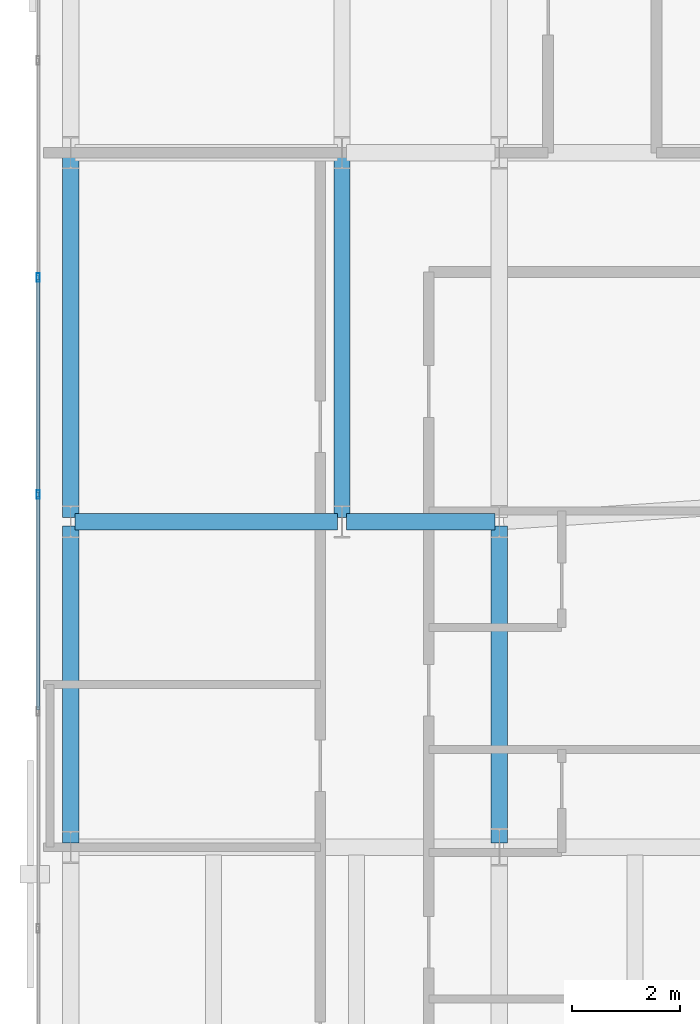
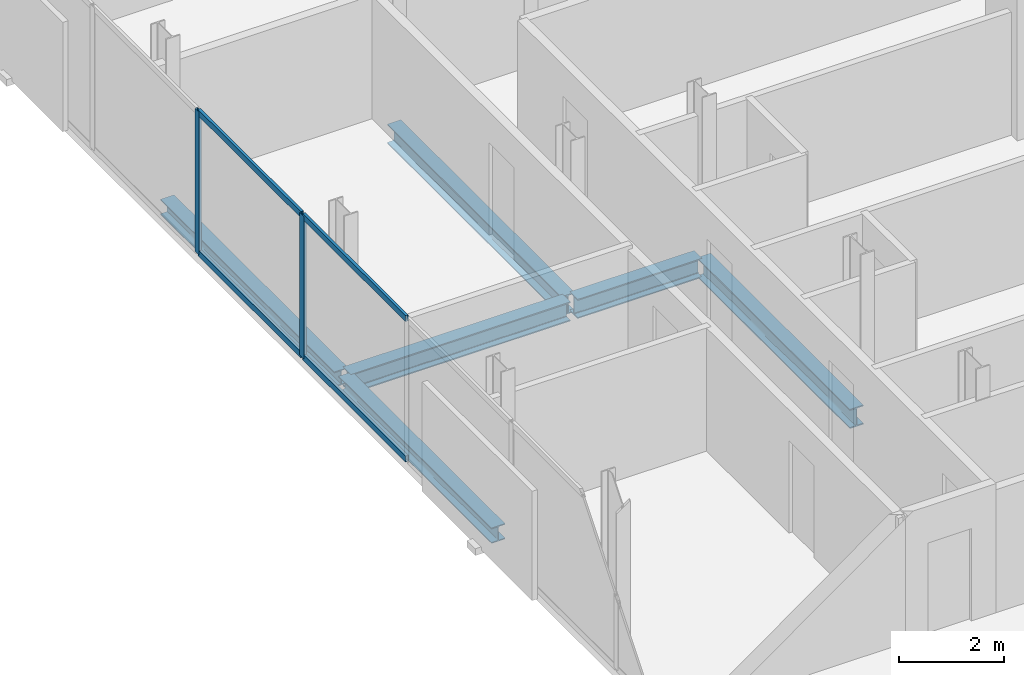
# One storey, part 9 of 32: 6 beams, 6 members, 1 element without a shape of its own.
"""IFC4 building model written with IfcOpenShell, lengths in metres."""

from ifc_helpers import new_model, si_unit, direction, frame, origin, origin_2d, place, context, subcontext, project, spatial, hollow_rectangle, i_section, extrude, material, layer, layer_set, material_profile, profile_set, type_object, element, aggregate, save


model = new_model("IFC4")

# Units and contexts
model_context = context("Model", 3, precision=1e-05, world=origin(), true_north=direction((0.0, 1.0)))
body_context = subcontext(model_context, "Body", "Model", "MODEL_VIEW")
ifc_project = project(units=[si_unit("LENGTHUNIT", "METRE"), si_unit("AREAUNIT", "SQUARE_METRE"), si_unit("VOLUMEUNIT", "CUBIC_METRE"), si_unit("PLANEANGLEUNIT", "RADIAN"), si_unit("MASSUNIT", "GRAM", prefix="KILO")], contexts=[model_context])

# Site, building, storey
site_placement = place(None, origin())
site = spatial("IfcSite", under=ifc_project, at=site_placement, CompositionType="ELEMENT")
building_placement = place(site_placement, origin())
building = spatial("IfcBuilding", under=site, at=building_placement, Name="Catumbela Crestline Tower", CompositionType="ELEMENT")
storey_placement = place(building_placement, frame((0.0, 0.0, 122.4)))
storey = spatial("IfcBuildingStorey", under=building, at=storey_placement, Name="L31", CompositionType="ELEMENT", Elevation=122.4)

# Beams
ifc_material_1 = material(Name="Structural steel S355J2", Category="steel")
ifc_material_profile_1 = material_profile(ifc_material_1, i_section(OverallWidth=0.3, OverallDepth=0.45, WebThickness=0.014, FlangeThickness=0.026, FilletRadius=0.027, at=origin_2d()), Name="HEB 450")
ifc_profile_set_1 = profile_set([ifc_material_profile_1], Name="Structural steel S355J2")
beam_type_1 = type_object("IfcBeamType", Name="BG-HEB450", PredefinedType="BEAM", material=ifc_profile_set_1)
beam_1_placement = place(storey_placement, frame((0.68, 24.0, -0.485), z_axis=(1.0, 0.0, 0.0), x_axis=(0.0, 1.0, 0.0)))
element("IfcBeam", 1, at=beam_1_placement, inside=storey, type_object=beam_type_1, Name="L31 Beam BM-L31-S01", PredefinedType="BEAM", context=body_context, shape_type="SweptSolid", body=[
    extrude(i_section(OverallWidth=0.3, OverallDepth=0.45, WebThickness=0.014, FlangeThickness=0.026, FilletRadius=0.027, at=origin_2d()), origin(), (0.0, 0.0, 1.0), 4.84),
])
beam_2_placement = place(storey_placement, frame((5.68, 24.0, -0.485), z_axis=(1.0, 0.0, 0.0), x_axis=(0.0, 1.0, 0.0)))
element("IfcBeam", 2, at=beam_2_placement, inside=storey, type_object=beam_type_1, Name="L31 Beam BM-L31-S02", PredefinedType="BEAM", context=body_context, shape_type="SweptSolid", body=[
    extrude(i_section(OverallWidth=0.3, OverallDepth=0.45, WebThickness=0.014, FlangeThickness=0.026, FilletRadius=0.027, at=origin_2d()), origin(), (0.0, 0.0, 1.0), 2.74),
])
beam_3_placement = place(storey_placement, frame((5.6, 24.08, -0.485), z_axis=(0.0, 1.0, 0.0), x_axis=(-1.0, 0.0, 0.0)))
element("IfcBeam", 3, at=beam_3_placement, inside=storey, type_object=beam_type_1, Name="L31 Beam BM-L31-SN24", PredefinedType="BEAM", context=body_context, shape_type="SweptSolid", body=[
    extrude(i_section(OverallWidth=0.3, OverallDepth=0.45, WebThickness=0.014, FlangeThickness=0.026, FilletRadius=0.027, at=origin_2d()), origin(), (0.0, 0.0, 1.0), 6.64),
])
beam_4_placement = place(storey_placement, frame((8.5, 18.08, -0.485), z_axis=(0.0, 1.0, 0.0), x_axis=(-1.0, 0.0, 0.0)))
element("IfcBeam", 4, at=beam_4_placement, inside=storey, type_object=beam_type_1, Name="L31 Beam BM-L31-WNS57", PredefinedType="BEAM", context=body_context, shape_type="SweptSolid", body=[
    extrude(i_section(OverallWidth=0.3, OverallDepth=0.45, WebThickness=0.014, FlangeThickness=0.026, FilletRadius=0.027, at=origin_2d()), origin(), (0.0, 0.0, 1.0), 5.84),
])

# Curtain wall, members
ifc_material_2 = material(Name="Aluminium alloy AW-6060-T66", Category="aluminium")
ifc_layer = layer(ifc_material_2, 0.18, Name="Aluminium alloy AW-6060-T66")
ifc_layer_set = layer_set([ifc_layer], Name="Aluminium alloy AW-6060-T66")
curtain_wall_type = type_object("IfcCurtainWallType", Name="CWU-Z2", PredefinedType="USERDEFINED", material=ifc_layer_set)
curtain_wall_placement = place(storey_placement, origin())
curtain_wall = element("IfcCurtainWall", 5, at=curtain_wall_placement, inside=storey, type_object=curtain_wall_type, Name="L31 Unitised Curtain Wall CW-L31-E9S1", ObjectType="UNITISED", PredefinedType="USERDEFINED")
ifc_material_profile_2 = material_profile(ifc_material_2, hollow_rectangle(XDim=0.06, YDim=0.16, WallThickness=0.004, at=origin_2d()), Name="ALU 160x60x4")
ifc_profile_set_2 = profile_set([ifc_material_profile_2], Name="Aluminium alloy AW-6060-T66")
member_type_1 = type_object("IfcMemberType", Name="MUL-160X60", PredefinedType="MULLION", material=ifc_profile_set_2)
member_1_placement = place(storey_placement, frame((0.0, 28.5, 0.0), z_axis=(0.0, 0.0, 1.0), x_axis=(1.0, 0.0, 0.0)))
member_1 = element("IfcMember", 6, at=member_1_placement, type_object=member_type_1, Name="CWU-Z2 mullion 5", PredefinedType="MULLION", context=body_context, shape_type="SweptSolid", body=[
    extrude(hollow_rectangle(XDim=0.06, YDim=0.16, WallThickness=0.004, at=origin_2d()), origin(), (0.0, 0.0, 1.0), 3.33),
])
member_2_placement = place(storey_placement, frame((0.0, 24.5, 0.0), z_axis=(0.0, 0.0, 1.0), x_axis=(1.0, 0.0, 0.0)))
member_2 = element("IfcMember", 7, at=member_2_placement, type_object=member_type_1, Name="CWU-Z2 mullion 6", PredefinedType="MULLION", context=body_context, shape_type="SweptSolid", body=[
    extrude(hollow_rectangle(XDim=0.06, YDim=0.16, WallThickness=0.004, at=origin_2d()), origin(), (0.0, 0.0, 1.0), 3.33),
])

# Beams
ifc_material_profile_3 = material_profile(ifc_material_1, i_section(OverallWidth=0.3, OverallDepth=0.36, WebThickness=0.0125, FlangeThickness=0.0225, FilletRadius=0.027, at=origin_2d()), Name="HEB 360")
ifc_profile_set_3 = profile_set([ifc_material_profile_3], Name="Structural steel S355J2")
beam_type_2 = type_object("IfcBeamType", Name="BS-HEB360", PredefinedType="SPANDREL", material=ifc_profile_set_3)
beam_5_placement = place(storey_placement, frame((0.6, 24.08, -0.44), z_axis=(0.0, 1.0, 0.0), x_axis=(-1.0, 0.0, 0.0)))
element("IfcBeam", 8, at=beam_5_placement, inside=storey, type_object=beam_type_2, Name="L31 Spandrel SP-L31-SN22", PredefinedType="SPANDREL", context=body_context, shape_type="SweptSolid", body=[
    extrude(i_section(OverallWidth=0.3, OverallDepth=0.36, WebThickness=0.0125, FlangeThickness=0.0225, FilletRadius=0.027, at=origin_2d()), origin(), (0.0, 0.0, 1.0), 6.64),
])
beam_6_placement = place(storey_placement, frame((0.6, 18.08, -0.44), z_axis=(0.0, 1.0, 0.0), x_axis=(-1.0, 0.0, 0.0)))
element("IfcBeam", 9, at=beam_6_placement, inside=storey, type_object=beam_type_2, Name="L31 Spandrel SP-L31-WNS54", PredefinedType="SPANDREL", context=body_context, shape_type="SweptSolid", body=[
    extrude(i_section(OverallWidth=0.3, OverallDepth=0.36, WebThickness=0.0125, FlangeThickness=0.0225, FilletRadius=0.027, at=origin_2d()), origin(), (0.0, 0.0, 1.0), 5.84),
])

# Member
ifc_material_profile_4 = material_profile(ifc_material_2, hollow_rectangle(XDim=0.06, YDim=0.14, WallThickness=0.004, at=origin_2d()), Name="ALU 140x60x4")
ifc_profile_set_4 = profile_set([ifc_material_profile_4], Name="Aluminium alloy AW-6060-T66")
member_type_2 = type_object("IfcMemberType", Name="TRN-140X60", PredefinedType="USERDEFINED", material=ifc_profile_set_4)
member_3_placement = place(storey_placement, frame((0.0, 28.4675, 0.03), z_axis=(0.0, -1.0, 0.0), x_axis=(1.0, 0.0, 0.0)))
member_3 = element("IfcMember", 10, at=member_3_placement, type_object=member_type_2, Name="CWU-Z2 transom 5.1", ObjectType="TRANSOM", PredefinedType="USERDEFINED", context=body_context, shape_type="SweptSolid", body=[
    extrude(hollow_rectangle(XDim=0.06, YDim=0.14, WallThickness=0.004, at=origin_2d()), origin(), (0.0, 0.0, 1.0), 3.935),
])

member_4_placement = place(storey_placement, frame((0.0, 28.4675, 3.3), z_axis=(0.0, -1.0, 0.0), x_axis=(1.0, 0.0, 0.0)))
member_4 = element("IfcMember", 11, at=member_4_placement, type_object=member_type_2, Name="CWU-Z2 transom 5.2", ObjectType="TRANSOM", PredefinedType="USERDEFINED", context=body_context, shape_type="SweptSolid", body=[
    extrude(hollow_rectangle(XDim=0.06, YDim=0.14, WallThickness=0.004, at=origin_2d()), origin(), (0.0, 0.0, 1.0), 3.935),
])

member_5_placement = place(storey_placement, frame((0.0, 24.4675, 0.03), z_axis=(0.0, -1.0, 0.0), x_axis=(1.0, 0.0, 0.0)))
member_5 = element("IfcMember", 12, at=member_5_placement, type_object=member_type_2, Name="CWU-Z2 transom 6.1", ObjectType="TRANSOM", PredefinedType="USERDEFINED", context=body_context, shape_type="SweptSolid", body=[
    extrude(hollow_rectangle(XDim=0.06, YDim=0.14, WallThickness=0.004, at=origin_2d()), origin(), (0.0, 0.0, 1.0), 3.935),
])

member_6_placement = place(storey_placement, frame((0.0, 24.4675, 3.3), z_axis=(0.0, -1.0, 0.0), x_axis=(1.0, 0.0, 0.0)))
member_6 = element("IfcMember", 13, at=member_6_placement, type_object=member_type_2, Name="CWU-Z2 transom 6.2", ObjectType="TRANSOM", PredefinedType="USERDEFINED", context=body_context, shape_type="SweptSolid", body=[
    extrude(hollow_rectangle(XDim=0.06, YDim=0.14, WallThickness=0.004, at=origin_2d()), origin(), (0.0, 0.0, 1.0), 3.935),
])

aggregate(curtain_wall, [member_1, member_2, member_3, member_4, member_5, member_6])

save(model, "model.ifc")
